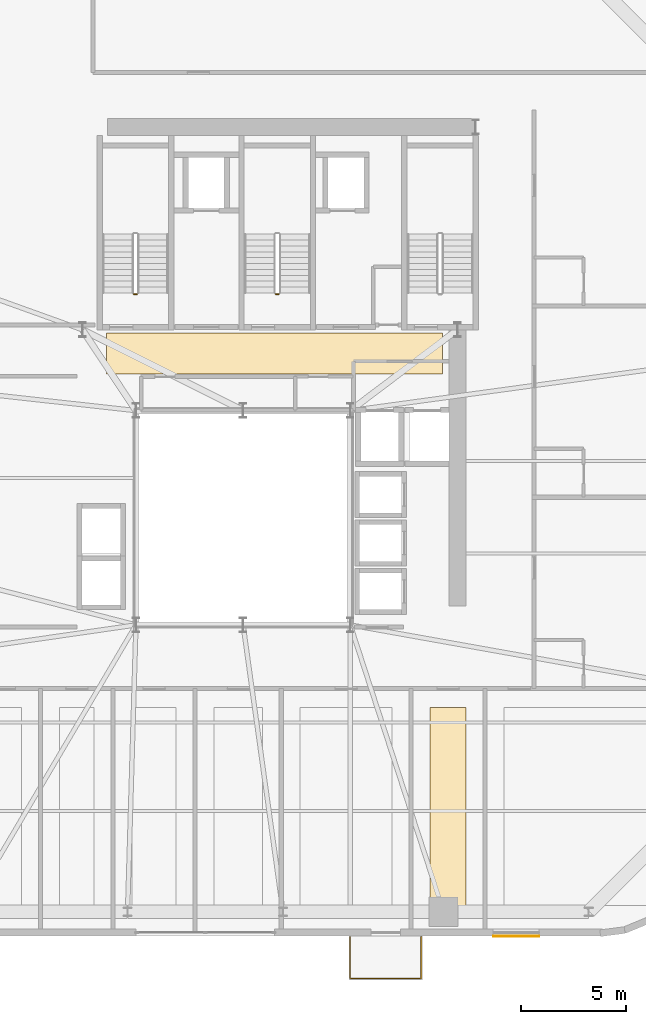
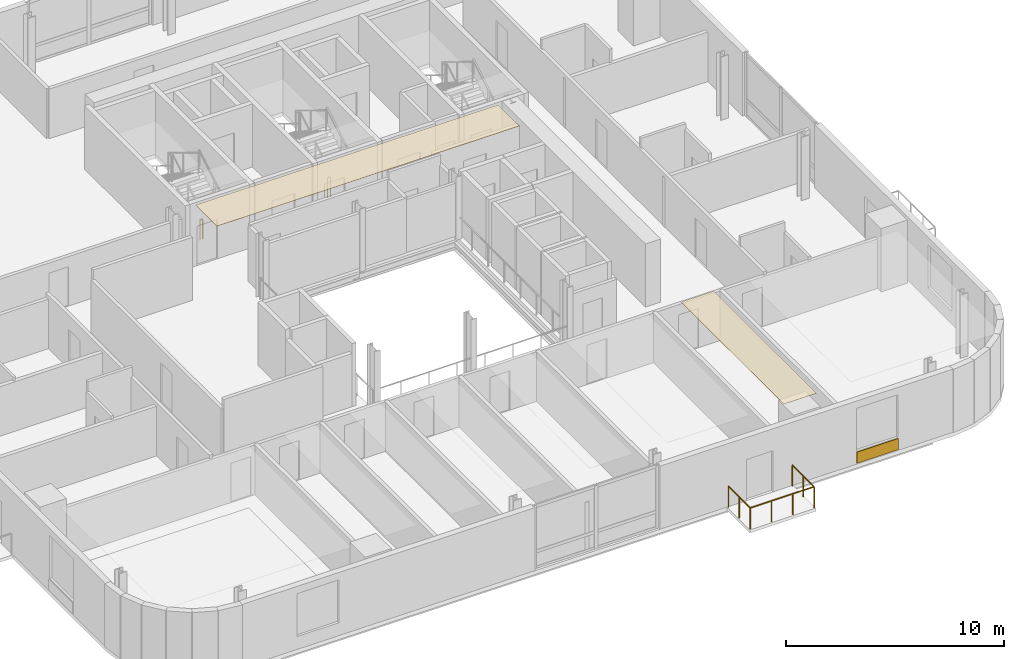
# One storey, part 13 of 16: 3 coverings, 3 railings.
"""IFC4 building model written with IfcOpenShell, lengths in metres."""

import ifcopenshell
import ifcopenshell.guid

model = None  # the IFC model being written
_history = None  # IfcOwnerHistory: only IFC2X3 demands one
_inside = {}  # id of a spatial element -> (the spatial element, [elements in it])
_under = {}  # id of a project, library or spatial element -> (it, [spatial elements below it])
_declared = {}  # id of a project -> (the project, [libraries it declares])
_typed = {}  # id of a type object -> (the type object, [elements of that type])
_made_of = {}  # id of a material, layer set ... -> (it, [elements and type objects made of it])


def new_model(schema):
    """Start an empty IFC model of exactly this schema.

    Asked for "IFC4X3", IfcOpenShell would pick the latest addendum, in which some entities
    have other attributes; the version numbers below select the first issue.
    IFC2X3 requires an IfcOwnerHistory on every rooted entity: one is made here for all.
    """
    global model, _history
    if schema == "IFC4X3":
        model = ifcopenshell.file(schema_version=(4, 3, 0, 0))
    else:
        model = ifcopenshell.file(schema=schema)
    _inside.clear()
    _under.clear()
    _declared.clear()
    _typed.clear()
    _made_of.clear()
    _history = None
    if model.schema == "IFC2X3":
        org = make("IfcOrganization", Name="unknown")
        user = make(
            "IfcPersonAndOrganization",
            ThePerson=make("IfcPerson", FamilyName="unknown"),
            TheOrganization=org,
        )
        app = make(
            "IfcApplication",
            ApplicationDeveloper=org,
            Version="unknown",
            ApplicationFullName="unknown",
            ApplicationIdentifier="unknown",
        )
        _history = make(
            "IfcOwnerHistory",
            OwningUser=user,
            OwningApplication=app,
            ChangeAction="ADDED",
            CreationDate=0,
        )
    return model


def make(cls, **values):
    """One entity of the class cls with the attributes given. An attribute that is None is left unset."""
    return model.create_entity(
        cls, **{name: value for name, value in values.items() if value is not None}
    )


def rooted(cls, **values):
    """An entity with a GlobalId (a new one), such as an element, a storey or a relation."""
    return make(cls, GlobalId=ifcopenshell.guid.new(), OwnerHistory=_history, **values)


def si_unit(unit_type, name, prefix=None):
    """IfcSIUnit, for example si_unit("LENGTHUNIT", "METRE", prefix="MILLI")."""
    return make("IfcSIUnit", UnitType=unit_type, Prefix=prefix, Name=name)


def assignment(units):
    """IfcUnitAssignment: the units of a project."""
    return None if units is None else make("IfcUnitAssignment", Units=units)


def point(xyz):
    """IfcCartesianPoint."""
    return None if xyz is None else make("IfcCartesianPoint", Coordinates=xyz)


def direction(xyz):
    """IfcDirection."""
    return None if xyz is None else make("IfcDirection", DirectionRatios=xyz)


def frame(location, z_axis=None, x_axis=None):
    """IfcAxis2Placement3D, a coordinate frame: its origin and axes. An axis left out is left unset."""
    return make(
        "IfcAxis2Placement3D",
        Location=point(location),
        Axis=direction(z_axis),
        RefDirection=direction(x_axis),
    )


def frame_2d(location, x_axis=None):
    """IfcAxis2Placement2D, a coordinate frame in the plane: its origin and x axis."""
    return make(
        "IfcAxis2Placement2D", Location=point(location), RefDirection=direction(x_axis)
    )


def origin():
    """The frame at (0, 0, 0) with its axes left unset."""
    return frame((0.0, 0.0, 0.0))


def origin_2d():
    """The frame at (0, 0) in the plane with its x axis left unset."""
    return frame_2d((0.0, 0.0))


def place(relative_to, where):
    """IfcLocalPlacement: puts the frame where relative to a parent placement (None: the world)."""
    return make(
        "IfcLocalPlacement", PlacementRelTo=relative_to, RelativePlacement=where
    )


def context(
    kind, dimensions, precision=None, world=None, true_north=None, identifier=None
):
    """IfcGeometricRepresentationContext, for example the 3D "Model" context."""
    return make(
        "IfcGeometricRepresentationContext",
        ContextIdentifier=identifier,
        ContextType=kind,
        CoordinateSpaceDimension=dimensions,
        Precision=precision,
        WorldCoordinateSystem=world,
        TrueNorth=true_north,
    )


def subcontext(parent, identifier, kind, view, scale=None):
    """IfcGeometricRepresentationSubContext, for example "Body" below "Model"."""
    return make(
        "IfcGeometricRepresentationSubContext",
        ContextIdentifier=identifier,
        ContextType=kind,
        ParentContext=parent,
        TargetScale=scale,
        TargetView=view,
    )


def project(units=None, contexts=None):
    """IfcProject with its units and contexts."""
    return rooted(
        "IfcProject",
        Name="project",
        RepresentationContexts=contexts,
        UnitsInContext=assignment(units),
    )


def spatial(cls, under=None, at=None, **own):
    """A site, building, storey or space (cls), placed at a placement, below another one or the project."""
    s = rooted(cls, ObjectPlacement=at, **own)
    if under is not None:
        _under.setdefault(under.id(), (under, []))[1].append(s)
    return s


def polyline(points):
    """IfcPolyline through the points."""
    return make("IfcPolyline", Points=[point(p) for p in points])


def profile(cls, at=None, kind="AREA", **sizes):
    """A parametric profile (cls). Its sizes go by their IFC names, for example OverallWidth=200.0."""
    return make(cls, ProfileType=kind, Position=at, **sizes)


def rectangle(**sizes):
    """IfcRectangleProfileDef."""
    return profile("IfcRectangleProfileDef", **sizes)


def outline(outer, holes=None, kind="AREA"):
    """IfcArbitraryClosedProfileDef: a profile drawn as a closed curve; with holes, ...WithVoids."""
    if holes is None:
        return make("IfcArbitraryClosedProfileDef", ProfileType=kind, OuterCurve=outer)
    return make(
        "IfcArbitraryProfileDefWithVoids",
        ProfileType=kind,
        OuterCurve=outer,
        InnerCurves=holes,
    )


def extrude(swept, where, along, depth):
    """IfcExtrudedAreaSolid: the profile swept, set in the frame where, extruded along a direction by depth."""
    return make(
        "IfcExtrudedAreaSolid",
        SweptArea=swept,
        Position=where,
        ExtrudedDirection=direction(along),
        Depth=depth,
    )


def shape(context_of_items, identifier, shape_type, items):
    """IfcShapeRepresentation: the items that make up one representation, for example the "Body"."""
    return make(
        "IfcShapeRepresentation",
        ContextOfItems=context_of_items,
        RepresentationIdentifier=identifier,
        RepresentationType=shape_type,
        Items=items,
    )


def source(mapping_origin, context_of_items, identifier, shape_type, items):
    """IfcRepresentationMap: a shape defined once, which mapped items show again and again."""
    return make(
        "IfcRepresentationMap",
        MappingOrigin=mapping_origin,
        MappedRepresentation=shape(context_of_items, identifier, shape_type, items),
    )


def transform(
    local_origin,
    x_axis=None,
    y_axis=None,
    z_axis=None,
    scale=None,
    scale2=None,
    scale3=None,
    uniform=True,
):
    """IfcCartesianTransformationOperator3D, or its non-uniform kind. x_axis, y_axis, z_axis: its Axis1, 2, 3."""
    if uniform:
        return make(
            "IfcCartesianTransformationOperator3D",
            Axis1=direction(x_axis),
            Axis2=direction(y_axis),
            LocalOrigin=point(local_origin),
            Scale=scale,
            Axis3=direction(z_axis),
        )
    return make(
        "IfcCartesianTransformationOperator3DnonUniform",
        Axis1=direction(x_axis),
        Axis2=direction(y_axis),
        LocalOrigin=point(local_origin),
        Scale=scale,
        Axis3=direction(z_axis),
        Scale2=scale2,
        Scale3=scale3,
    )


def mapped(mapping_source, mapping_target):
    """IfcMappedItem: shows the shape of a source again, moved by a transform."""
    return make(
        "IfcMappedItem", MappingSource=mapping_source, MappingTarget=mapping_target
    )


def material(Name=None, Category=None):
    """IfcMaterial."""
    return make("IfcMaterial", Name=Name, Category=Category)


def layer(
    of_material, thickness, ventilated=None, Name=None, Category=None, Priority=None
):
    """IfcMaterialLayer: one layer of a wall or slab, of a material (None: an air gap)."""
    return make(
        "IfcMaterialLayer",
        Material=of_material,
        LayerThickness=thickness,
        IsVentilated=ventilated,
        Name=Name,
        Category=Category,
        Priority=Priority,
    )


def layer_set(layers, Name=None):
    """IfcMaterialLayerSet."""
    return make("IfcMaterialLayerSet", MaterialLayers=layers, LayerSetName=Name)


def made_of(thing, what):
    """Note that an element or type object is made of a material, layer set ...; save() writes the relation."""
    if what is not None:
        _made_of.setdefault(what.id(), (what, []))[1].append(thing)
    return thing


def type_object(cls, material=None, **own):
    """A type object (cls), such as IfcWallType, which elements share."""
    return made_of(rooted(cls, **own), material)


def element(
    cls,
    number,
    at=None,
    inside=None,
    cuts=None,
    type_object=None,
    material=None,
    context=None,
    identifier="Body",
    shape_type=None,
    held_by="IfcProductDefinitionShape",
    body=None,
    shapes=None,
    **own,
):
    """One element of the class cls, such as IfcWall. Its Tag is "e" and its number.

    at: its placement. inside: the storey or other place that contains it. cuts: it is an
    opening in that element (IfcRelVoidsElement). A single representation is given by context,
    identifier, shape_type and body (its items); several are given by shapes. held_by: the class
    of the entity that holds the representations. save() writes the other relations.
    """
    e = rooted(cls, Tag="e%d" % number, ObjectPlacement=at, **own)
    if body is not None:
        shapes = [shape(context, identifier, shape_type, body)]
    if shapes is not None:
        e.Representation = make(held_by, Representations=shapes)
    if inside is not None:
        _inside.setdefault(inside.id(), (inside, []))[1].append(e)
    if cuts is not None:
        rooted(
            "IfcRelVoidsElement", RelatingBuildingElement=cuts, RelatedOpeningElement=e
        )
    if type_object is not None:
        _typed.setdefault(type_object.id(), (type_object, []))[1].append(e)
    return made_of(e, material)


def aggregate(whole, parts):
    """IfcRelAggregates: a whole, such as a stair, and the parts it consists of."""
    return rooted("IfcRelAggregates", RelatingObject=whole, RelatedObjects=parts)


def save(model, path):
    """Write the relations noted so far, then the file.

    IfcRelAggregates (storeys below a building ...), IfcRelContainedInSpatialStructure (elements
    in a storey), IfcRelDefinesByType, IfcRelAssociatesMaterial and IfcRelDeclares: one each for
    every whole, place, type object, material and project.
    """
    for whole, parts in _under.values():
        aggregate(whole, parts)
    for where, things in _inside.values():
        rooted(
            "IfcRelContainedInSpatialStructure",
            RelatedElements=things,
            RelatingStructure=where,
        )
    for kind, things in _typed.values():
        rooted("IfcRelDefinesByType", RelatedObjects=things, RelatingType=kind)
    for what, things in _made_of.values():
        rooted("IfcRelAssociatesMaterial", RelatedObjects=things, RelatingMaterial=what)
    for by, libraries in _declared.values():
        rooted("IfcRelDeclares", RelatingContext=by, RelatedDefinitions=libraries)
    model.write(path)


model = new_model("IFC4")

# Units and contexts
model_context = context("Model", 3, precision=1e-05, world=origin(), true_north=direction((0.0, 1.0)))
body_context = subcontext(model_context, "Body", "Model", "MODEL_VIEW")
ifc_project = project(units=[si_unit("LENGTHUNIT", "METRE"), si_unit("AREAUNIT", "SQUARE_METRE"), si_unit("VOLUMEUNIT", "CUBIC_METRE"), si_unit("PLANEANGLEUNIT", "RADIAN"), si_unit("MASSUNIT", "GRAM", prefix="KILO")], contexts=[model_context])

# Site, building, storey
site_placement = place(None, origin())
site = spatial("IfcSite", under=ifc_project, at=site_placement, CompositionType="ELEMENT")
building_placement = place(site_placement, origin())
building = spatial("IfcBuilding", under=site, at=building_placement, Name="Vardaveli Station Tower", CompositionType="ELEMENT")
storey_placement = place(building_placement, frame((0.0, 0.0, 222.300048828125)))
storey = spatial("IfcBuildingStorey", under=building, at=storey_placement, Name="L57", CompositionType="ELEMENT", Elevation=222.300048828125)

# Coverings
ifc_material_1 = material(Name="Perforated acoustic mineral ceiling")
ifc_layer_1 = layer(ifc_material_1, 0.02001953125, Name="Perforated acoustic mineral ceiling")
ifc_layer_set_1 = layer_set([ifc_layer_1], Name="Perforated acoustic mineral ceiling")
covering_type_1 = type_object("IfcCoveringType", Name="COV-CEIL-AC20", PredefinedType="CEILING", material=ifc_layer_set_1)
covering_1_placement = place(storey_placement, frame((0.0, 0.0, 3.514892578125)))
element("IfcCovering", 1, at=covering_1_placement, inside=storey, type_object=covering_type_1, Name="CEIL-L57-7", PredefinedType="CEILING", context=body_context, shape_type="SweptSolid", body=[
    extrude(outline(polyline([(45.189697265625, 3.25), (46.919921875, 3.25), (46.919921875, 12.669921875), (45.189697265625, 12.669921875), (45.189697265625, 3.25)])), origin(), (0.0, 0.0, 1.0), 0.02001953125),
])
covering_2_placement = place(storey_placement, frame((0.0, 0.0, 3.514892578125)))
element("IfcCovering", 2, at=covering_2_placement, inside=storey, type_object=covering_type_1, Name="CEIL-L57-9", PredefinedType="CEILING", context=body_context, shape_type="SweptSolid", body=[
    extrude(outline(polyline([(29.800048828125, 28.550048828125), (45.800048828125, 28.550048828125), (45.800048828125, 30.5), (29.800048828125, 30.5), (29.800048828125, 28.550048828125)])), origin(), (0.0, 0.0, 1.0), 0.02001953125),
])
ifc_material_2 = material(Name="Ventilated honed travertine stone cladding", Category="masonry")
ifc_layer_2 = layer(ifc_material_2, 0.044921875, Name="Ventilated honed travertine stone cladding")
ifc_layer_set_2 = layer_set([ifc_layer_2], Name="Ventilated honed travertine stone cladding")
covering_type_2 = type_object("IfcCoveringType", Name="COV-CLAD-TR45", PredefinedType="CLADDING", material=ifc_layer_set_2)
shared_shape_1 = source(origin(), body_context, "Body", "SweptSolid", [
    extrude(rectangle(XDim=2.199951171875, YDim=0.044921875, at=origin_2d()), origin(), (0.0, 0.0, 1.0), 0.6201171875),
])
covering_3_placement = place(storey_placement, frame((49.294921875, 1.785400390625, 0.06982421875), z_axis=(0.0, 0.0, 1.0), x_axis=(1.0, 0.0, 0.0)))
element("IfcCovering", 3, at=covering_3_placement, inside=storey, type_object=covering_type_2, Name="CLD-TR-L57-S", PredefinedType="CLADDING", context=body_context, shape_type="MappedRepresentation", body=[
    mapped(shared_shape_1, transform((0.0, 0.0, 0.0), scale=1.0)),
])

# Railings
ifc_material_3 = material(Name="Laminated glass and stainless steel balustrade", Category="steel")
railing_type_1 = type_object("IfcRailingType", Name="RL-BAL-1200", PredefinedType="BALUSTRADE", material=ifc_material_3)
shared_shape_2 = source(origin(), body_context, "Body", "SweptSolid", [
    extrude(rectangle(XDim=0.048095703125, YDim=0.048095703125, at=origin_2d()), frame((0.0, 0.0, 1.17578125), z_axis=(0.0, -1.0, 0.0), x_axis=(1.0, 0.0, 0.0)), (0.0, 0.0, 1.0), 2.0),
    extrude(rectangle(XDim=0.048095703125, YDim=0.048095703125, at=origin_2d()), frame((0.0, -2.0, 1.17578125), z_axis=(1.0, 0.0, 0.0), x_axis=(0.0, 1.0, 0.0)), (0.0, 0.0, 1.0), 3.3798828125),
    extrude(rectangle(XDim=0.048095703125, YDim=0.048095703125, at=origin_2d()), frame((3.3798828125, -2.0, 1.17578125), z_axis=(0.0, 1.0, 0.0), x_axis=(-1.0, 0.0, 0.0)), (0.0, 0.0, 1.0), 2.0),
    extrude(rectangle(XDim=0.0419921875, YDim=0.0419921875, at=origin_2d()), origin(), (0.0, 0.0, 1.0), 1.15185546875),
    extrude(rectangle(XDim=0.0419921875, YDim=0.0419921875, at=origin_2d()), frame((0.0, -1.0, 0.0)), (0.0, 0.0, 1.0), 1.15185546875),
    extrude(rectangle(XDim=0.0419921875, YDim=0.0419921875, at=origin_2d()), frame((0.0, -2.0, 0.0)), (0.0, 0.0, 1.0), 1.15185546875),
    extrude(rectangle(XDim=0.0419921875, YDim=0.0419921875, at=origin_2d()), frame((1.126708984375, -2.0, 0.0)), (0.0, 0.0, 1.0), 1.15185546875),
    extrude(rectangle(XDim=0.0419921875, YDim=0.0419921875, at=origin_2d()), frame((2.253173828125, -2.0, 0.0)), (0.0, 0.0, 1.0), 1.15185546875),
    extrude(rectangle(XDim=0.0419921875, YDim=0.0419921875, at=origin_2d()), frame((3.3798828125, -2.0, 0.0)), (0.0, 0.0, 1.0), 1.15185546875),
    extrude(rectangle(XDim=0.0419921875, YDim=0.0419921875, at=origin_2d()), frame((3.3798828125, -1.0, 0.0)), (0.0, 0.0, 1.0), 1.15185546875),
    extrude(rectangle(XDim=0.0419921875, YDim=0.0419921875, at=origin_2d()), frame((3.3798828125, 0.0, 0.0)), (0.0, 0.0, 1.0), 1.15185546875),
])
railing_placement = place(storey_placement, frame((41.399658203125, 1.760009765625, 0.0)))
element("IfcRailing", 4, at=railing_placement, inside=storey, type_object=railing_type_1, Name="RL-LOG-L57-01", PredefinedType="BALUSTRADE", context=body_context, shape_type="MappedRepresentation", body=[
    mapped(shared_shape_2, transform((0.0, 0.0, 0.0), scale=1.0)),
])
ifc_material_4 = material(Name="Brushed AISI 316 stainless steel", Category="steel")
railing_type_2 = type_object("IfcRailingType", Name="RL-GUARD-1150", PredefinedType="GUARDRAIL", material=ifc_material_4)
shared_shape_3 = source(origin(), body_context, "Body", "SweptSolid", [
    extrude(rectangle(XDim=0.048095703125, YDim=0.048095703125, at=origin_2d()), frame((0.0, 0.0, 1.1259765625), z_axis=(-1.0, 0.0, 0.0), x_axis=(0.0, -1.0, 0.0)), (0.0, 0.0, 1.0), 0.14990234375),
    extrude(rectangle(XDim=0.0419921875, YDim=0.0419921875, at=origin_2d()), origin(), (0.0, 0.0, 1.0), 1.101806640625),
    extrude(rectangle(XDim=0.0419921875, YDim=0.0419921875, at=origin_2d()), frame((-0.14990234375, 0.0, 0.0)), (0.0, 0.0, 1.0), 1.101806640625),
])
for number, where, name in (
    (5, (31.25, 32.35009765625, 0.0), "L57 ST-1 stair guard 4"),
    (6, (38.0, 32.35009765625, 0.0), "L57 ST-2 stair guard 4"),
):
    element("IfcRailing", number, at=place(storey_placement, frame(where)), inside=storey, type_object=railing_type_2, Name=name, PredefinedType="GUARDRAIL", context=body_context, shape_type="MappedRepresentation", body=[
        mapped(shared_shape_3, transform((0.0, 0.0, 0.0), scale=1.0)),
    ])

save(model, "model.ifc")
